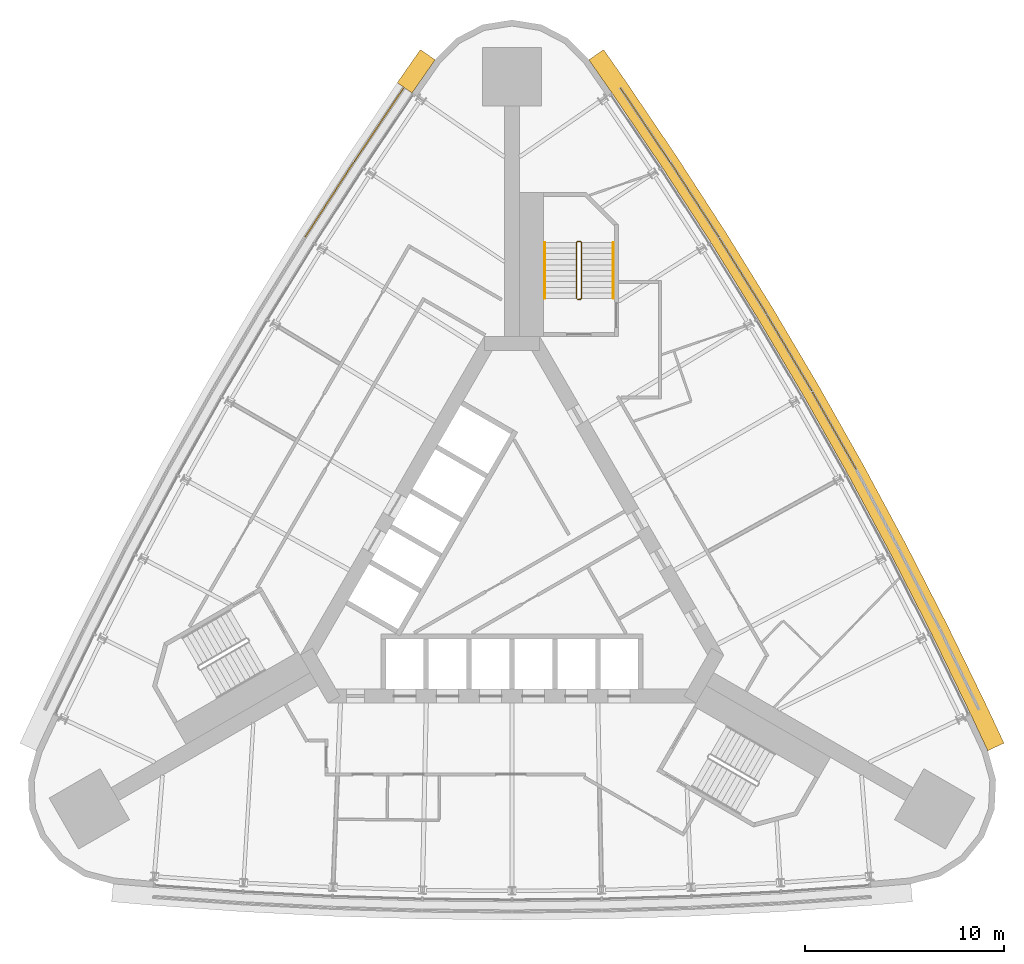
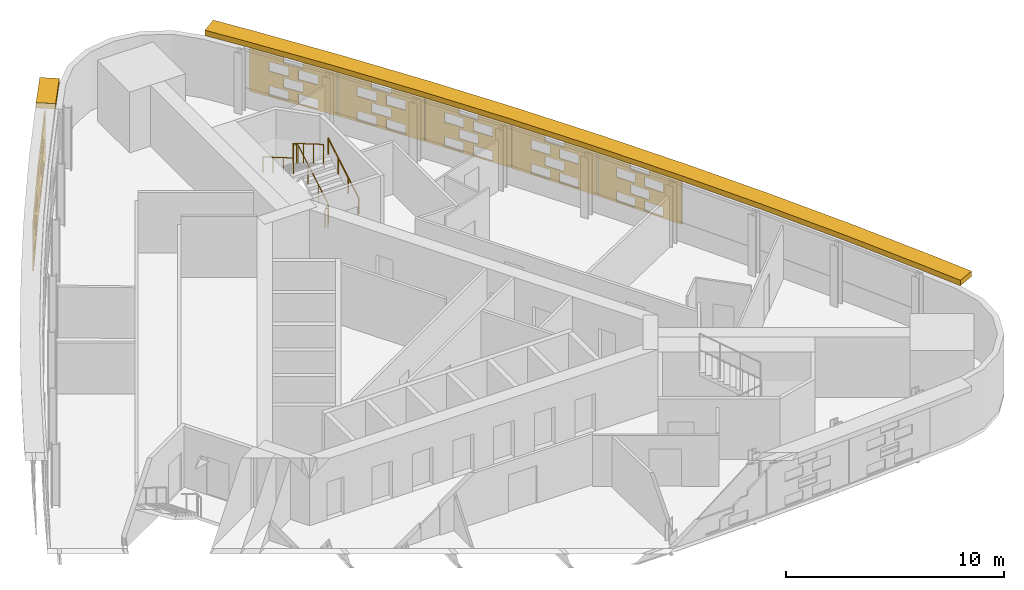
# One storey, part 11 of 11: 9 shading devices, 3 railings.
"""IFC4 building model written with IfcOpenShell, lengths in metres."""

from ifc_helpers import new_model, si_unit, direction, frame, origin, origin_2d, place, context, subcontext, project, spatial, polyline, circle, outline, extrude, material, material_profile, profile_set, type_object, element, save


model = new_model("IFC4")

# Units and contexts
model_context = context("Model", 3, precision=1e-05, world=origin(), true_north=direction((0.0, 1.0)))
body_context = subcontext(model_context, "Body", "Model", "MODEL_VIEW")
ifc_project = project(units=[si_unit("LENGTHUNIT", "METRE"), si_unit("AREAUNIT", "SQUARE_METRE"), si_unit("VOLUMEUNIT", "CUBIC_METRE"), si_unit("PLANEANGLEUNIT", "RADIAN"), si_unit("MASSUNIT", "GRAM", prefix="KILO")], contexts=[model_context])

# Site, building, storey
site_placement = place(None, origin())
site = spatial("IfcSite", under=ifc_project, at=site_placement, CompositionType="ELEMENT")
building_placement = place(site_placement, origin())
building = spatial("IfcBuilding", under=site, at=building_placement, Name="Noor Cloister Tower", CompositionType="ELEMENT")
storey_placement = place(building_placement, frame((0.0, 0.0, 120.300048828125)))
storey = spatial("IfcBuildingStorey", under=building, at=storey_placement, Name="L31", CompositionType="ELEMENT", Elevation=120.300048828125)

# Shading devices
ifc_material_1 = material(Name="Limestone", Category="masonry")
ifc_material_profile = material_profile(ifc_material_1, outline(polyline([(-2.22998046875, -1.35009765625), (2.22998046875, -1.35009765625), (2.22998046875, 1.35009765625), (-2.22998046875, 1.35009765625), (-2.22998046875, -1.35009765625)]), holes=[polyline([(-1.25, -1.282470703125), (-0.25, -1.282470703125), (-0.25, -0.742431640625), (-1.25, -0.742431640625), (-1.25, -1.282470703125)]), polyline([(0.25, -1.282470703125), (1.25, -1.282470703125), (1.25, -0.742431640625), (0.25, -0.742431640625), (0.25, -1.282470703125)]), polyline([(-0.5, -0.607421875), (0.5, -0.607421875), (0.5, -0.0673828125), (-0.5, -0.0673828125), (-0.5, -0.607421875)]), polyline([(-1.25, 0.0673828125), (-0.25, 0.0673828125), (-0.25, 0.607421875), (-1.25, 0.607421875), (-1.25, 0.0673828125)]), polyline([(0.25, 0.0673828125), (1.25, 0.0673828125), (1.25, 0.607421875), (0.25, 0.607421875), (0.25, 0.0673828125)]), polyline([(-0.5, 0.742431640625), (0.5, 0.742431640625), (0.5, 1.282470703125), (-0.5, 1.282470703125), (-0.5, 0.742431640625)])]), Name="Woven screen 30 percent open")
ifc_profile_set = profile_set([ifc_material_profile], Name="Limestone")
shading_device_type_1 = type_object("IfcShadingDeviceType", Name="SCREEN woven limestone 30 percent open", PredefinedType="USERDEFINED", material=ifc_profile_set)
shading_device_1_placement = place(storey_placement, frame((-6.645751953125, 22.044189453125, 1.849853515625), z_axis=(-0.830167318038, 0.557514326329, 0.0), x_axis=(-0.557514326329, -0.830167318038, 0.0)))
element("IfcShadingDevice", 1, at=shading_device_1_placement, inside=storey, type_object=shading_device_type_1, Name="SCREEN L31 1", ObjectType="SCREEN", PredefinedType="USERDEFINED", context=body_context, shape_type="SweptSolid", body=[
    extrude(outline(polyline([(-2.22998046875, -1.35009765625), (2.22998046875, -1.35009765625), (2.22998046875, 1.35009765625), (-2.22998046875, 1.35009765625), (-2.22998046875, -1.35009765625)]), holes=[polyline([(-1.25, -1.282470703125), (-0.25, -1.282470703125), (-0.25, -0.742431640625), (-1.25, -0.742431640625), (-1.25, -1.282470703125)]), polyline([(0.25, -1.282470703125), (1.25, -1.282470703125), (1.25, -0.742431640625), (0.25, -0.742431640625), (0.25, -1.282470703125)]), polyline([(-0.5, -0.607421875), (0.5, -0.607421875), (0.5, -0.0673828125), (-0.5, -0.0673828125), (-0.5, -0.607421875)]), polyline([(-1.25, 0.0673828125), (-0.25, 0.0673828125), (-0.25, 0.607421875), (-1.25, 0.607421875), (-1.25, 0.0673828125)]), polyline([(0.25, 0.0673828125), (1.25, 0.0673828125), (1.25, 0.607421875), (0.25, 0.607421875), (0.25, 0.0673828125)]), polyline([(-0.5, 0.742431640625), (0.5, 0.742431640625), (0.5, 1.282470703125), (-0.5, 1.282470703125), (-0.5, 0.742431640625)])]), origin(), (0.0, 0.0, 1.0), 0.06005859375),
])
shading_device_2_placement = place(storey_placement, frame((-9.133544921875, 18.28369140625, 1.849853515625), z_axis=(-0.839461337737, 0.543419416699, 0.0), x_axis=(-0.543419416699, -0.839461337737, 0.0)))
element("IfcShadingDevice", 2, at=shading_device_2_placement, inside=storey, type_object=shading_device_type_1, Name="SCREEN L31 2", ObjectType="SCREEN", PredefinedType="USERDEFINED", context=body_context, shape_type="SweptSolid", body=[
    extrude(outline(polyline([(-2.22998046875, -1.35009765625), (2.22998046875, -1.35009765625), (2.22998046875, 1.35009765625), (-2.22998046875, 1.35009765625), (-2.22998046875, -1.35009765625)]), holes=[polyline([(-1.25, -1.282470703125), (-0.25, -1.282470703125), (-0.25, -0.742431640625), (-1.25, -0.742431640625), (-1.25, -1.282470703125)]), polyline([(0.25, -1.282470703125), (1.25, -1.282470703125), (1.25, -0.742431640625), (0.25, -0.742431640625), (0.25, -1.282470703125)]), polyline([(-0.5, -0.607421875), (0.5, -0.607421875), (0.5, -0.0673828125), (-0.5, -0.0673828125), (-0.5, -0.607421875)]), polyline([(-1.25, 0.0673828125), (-0.25, 0.0673828125), (-0.25, 0.607421875), (-1.25, 0.607421875), (-1.25, 0.0673828125)]), polyline([(0.25, 0.0673828125), (1.25, 0.0673828125), (1.25, 0.607421875), (0.25, 0.607421875), (0.25, 0.0673828125)]), polyline([(-0.5, 0.742431640625), (0.5, 0.742431640625), (0.5, 1.282470703125), (-0.5, 1.282470703125), (-0.5, 0.742431640625)])]), origin(), (0.0, 0.0, 1.0), 0.060302734375),
])
shading_device_3_placement = place(storey_placement, frame((16.13232421875, 6.710693359375, 1.849853515625), z_axis=(0.87048706901, 0.492191286683, 0.0), x_axis=(-0.492191286683, 0.87048706901, 0.0)))
element("IfcShadingDevice", 3, at=shading_device_3_placement, inside=storey, type_object=shading_device_type_1, Name="SCREEN L31 4", ObjectType="SCREEN", PredefinedType="USERDEFINED", context=body_context, shape_type="SweptSolid", body=[
    extrude(outline(polyline([(-2.22998046875, -1.35009765625), (2.22998046875, -1.35009765625), (2.22998046875, 1.35009765625), (-2.22998046875, 1.35009765625), (-2.22998046875, -1.35009765625)]), holes=[polyline([(-1.25, -1.282470703125), (-0.25, -1.282470703125), (-0.25, -0.742431640625), (-1.25, -0.742431640625), (-1.25, -1.282470703125)]), polyline([(0.25, -1.282470703125), (1.25, -1.282470703125), (1.25, -0.742431640625), (0.25, -0.742431640625), (0.25, -1.282470703125)]), polyline([(-0.5, -0.607421875), (0.5, -0.607421875), (0.5, -0.0673828125), (-0.5, -0.0673828125), (-0.5, -0.607421875)]), polyline([(-1.25, 0.0673828125), (-0.25, 0.0673828125), (-0.25, 0.607421875), (-1.25, 0.607421875), (-1.25, 0.0673828125)]), polyline([(0.25, 0.0673828125), (1.25, 0.0673828125), (1.25, 0.607421875), (0.25, 0.607421875), (0.25, 0.0673828125)]), polyline([(-0.5, 0.742431640625), (0.5, 0.742431640625), (0.5, 1.282470703125), (-0.5, 1.282470703125), (-0.5, 0.742431640625)])]), origin(), (0.0, 0.0, 1.0), 0.06005859375),
])
shading_device_4_placement = place(storey_placement, frame((13.8779296875, 10.615478515625, 1.849853515625), z_axis=(0.860357760281, 0.50969061628, 0.0), x_axis=(-0.50969061628, 0.860357760281, 0.0)))
element("IfcShadingDevice", 4, at=shading_device_4_placement, inside=storey, type_object=shading_device_type_1, Name="SCREEN L31 5", ObjectType="SCREEN", PredefinedType="USERDEFINED", context=body_context, shape_type="SweptSolid", body=[
    extrude(outline(polyline([(-2.22998046875, -1.35009765625), (2.22998046875, -1.35009765625), (2.22998046875, 1.35009765625), (-2.22998046875, 1.35009765625), (-2.22998046875, -1.35009765625)]), holes=[polyline([(-1.25, -1.282470703125), (-0.25, -1.282470703125), (-0.25, -0.742431640625), (-1.25, -0.742431640625), (-1.25, -1.282470703125)]), polyline([(0.25, -1.282470703125), (1.25, -1.282470703125), (1.25, -0.742431640625), (0.25, -0.742431640625), (0.25, -1.282470703125)]), polyline([(-0.5, -0.607421875), (0.5, -0.607421875), (0.5, -0.0673828125), (-0.5, -0.0673828125), (-0.5, -0.607421875)]), polyline([(-1.25, 0.0673828125), (-0.25, 0.0673828125), (-0.25, 0.607421875), (-1.25, 0.607421875), (-1.25, 0.0673828125)]), polyline([(0.25, 0.0673828125), (1.25, 0.0673828125), (1.25, 0.607421875), (0.25, 0.607421875), (0.25, 0.0673828125)]), polyline([(-0.5, 0.742431640625), (0.5, 0.742431640625), (0.5, 1.282470703125), (-0.5, 1.282470703125), (-0.5, 0.742431640625)])]), origin(), (0.0, 0.0, 1.0), 0.059814453125),
])
shading_device_5_placement = place(storey_placement, frame((11.544677734375, 14.4736328125, 1.849853515625), z_axis=(0.849137590634, 0.528171707093, 0.0), x_axis=(-0.528171707093, 0.849137590634, 0.0)))
element("IfcShadingDevice", 5, at=shading_device_5_placement, inside=storey, type_object=shading_device_type_1, Name="SCREEN L31 6", ObjectType="SCREEN", PredefinedType="USERDEFINED", context=body_context, shape_type="SweptSolid", body=[
    extrude(outline(polyline([(-2.22998046875, -1.35009765625), (2.22998046875, -1.35009765625), (2.22998046875, 1.35009765625), (-2.22998046875, 1.35009765625), (-2.22998046875, -1.35009765625)]), holes=[polyline([(-1.25, -1.282470703125), (-0.25, -1.282470703125), (-0.25, -0.742431640625), (-1.25, -0.742431640625), (-1.25, -1.282470703125)]), polyline([(0.25, -1.282470703125), (1.25, -1.282470703125), (1.25, -0.742431640625), (0.25, -0.742431640625), (0.25, -1.282470703125)]), polyline([(-0.5, -0.607421875), (0.5, -0.607421875), (0.5, -0.0673828125), (-0.5, -0.0673828125), (-0.5, -0.607421875)]), polyline([(-1.25, 0.0673828125), (-0.25, 0.0673828125), (-0.25, 0.607421875), (-1.25, 0.607421875), (-1.25, 0.0673828125)]), polyline([(0.25, 0.0673828125), (1.25, 0.0673828125), (1.25, 0.607421875), (0.25, 0.607421875), (0.25, 0.0673828125)]), polyline([(-0.5, 0.742431640625), (0.5, 0.742431640625), (0.5, 1.282470703125), (-0.5, 1.282470703125), (-0.5, 0.742431640625)])]), origin(), (0.0, 0.0, 1.0), 0.06005859375),
])
shading_device_6_placement = place(storey_placement, frame((9.133544921875, 18.28369140625, 1.849853515625), z_axis=(0.839461337737, 0.543419416699, 0.0), x_axis=(-0.543419416699, 0.839461337737, 0.0)))
element("IfcShadingDevice", 6, at=shading_device_6_placement, inside=storey, type_object=shading_device_type_1, Name="SCREEN L31 7", ObjectType="SCREEN", PredefinedType="USERDEFINED", context=body_context, shape_type="SweptSolid", body=[
    extrude(outline(polyline([(-2.22998046875, -1.35009765625), (2.22998046875, -1.35009765625), (2.22998046875, 1.35009765625), (-2.22998046875, 1.35009765625), (-2.22998046875, -1.35009765625)]), holes=[polyline([(-1.25, -1.282470703125), (-0.25, -1.282470703125), (-0.25, -0.742431640625), (-1.25, -0.742431640625), (-1.25, -1.282470703125)]), polyline([(0.25, -1.282470703125), (1.25, -1.282470703125), (1.25, -0.742431640625), (0.25, -0.742431640625), (0.25, -1.282470703125)]), polyline([(-0.5, -0.607421875), (0.5, -0.607421875), (0.5, -0.0673828125), (-0.5, -0.0673828125), (-0.5, -0.607421875)]), polyline([(-1.25, 0.0673828125), (-0.25, 0.0673828125), (-0.25, 0.607421875), (-1.25, 0.607421875), (-1.25, 0.0673828125)]), polyline([(0.25, 0.0673828125), (1.25, 0.0673828125), (1.25, 0.607421875), (0.25, 0.607421875), (0.25, 0.0673828125)]), polyline([(-0.5, 0.742431640625), (0.5, 0.742431640625), (0.5, 1.282470703125), (-0.5, 1.282470703125), (-0.5, 0.742431640625)])]), origin(), (0.0, 0.0, 1.0), 0.060302734375),
])
shading_device_7_placement = place(storey_placement, frame((6.645751953125, 22.044189453125, 1.849853515625), z_axis=(0.830167318038, 0.557514326329, 0.0), x_axis=(-0.557514326329, 0.830167318038, 0.0)))
element("IfcShadingDevice", 7, at=shading_device_7_placement, inside=storey, type_object=shading_device_type_1, Name="SCREEN L31 8", ObjectType="SCREEN", PredefinedType="USERDEFINED", context=body_context, shape_type="SweptSolid", body=[
    extrude(outline(polyline([(-2.22998046875, -1.35009765625), (2.22998046875, -1.35009765625), (2.22998046875, 1.35009765625), (-2.22998046875, 1.35009765625), (-2.22998046875, -1.35009765625)]), holes=[polyline([(-1.25, -1.282470703125), (-0.25, -1.282470703125), (-0.25, -0.742431640625), (-1.25, -0.742431640625), (-1.25, -1.282470703125)]), polyline([(0.25, -1.282470703125), (1.25, -1.282470703125), (1.25, -0.742431640625), (0.25, -0.742431640625), (0.25, -1.282470703125)]), polyline([(-0.5, -0.607421875), (0.5, -0.607421875), (0.5, -0.0673828125), (-0.5, -0.0673828125), (-0.5, -0.607421875)]), polyline([(-1.25, 0.0673828125), (-0.25, 0.0673828125), (-0.25, 0.607421875), (-1.25, 0.607421875), (-1.25, 0.0673828125)]), polyline([(0.25, 0.0673828125), (1.25, 0.0673828125), (1.25, 0.607421875), (0.25, 0.607421875), (0.25, 0.0673828125)]), polyline([(-0.5, 0.742431640625), (0.5, 0.742431640625), (0.5, 1.282470703125), (-0.5, 1.282470703125), (-0.5, 0.742431640625)])]), origin(), (0.0, 0.0, 1.0), 0.06005859375),
])
ifc_material_2 = material(Name="Limestone", Category="masonry")
shading_device_type_2 = type_object("IfcShadingDeviceType", Name="SUNSHADE limestone band 900", PredefinedType="USERDEFINED", material=ifc_material_2)
shading_device_8_placement = place(storey_placement, frame((0.0, 0.0, 3.300048828125)))
element("IfcShadingDevice", 8, at=shading_device_8_placement, inside=storey, type_object=shading_device_type_2, Name="SUNSHADE L31 3", ObjectType="SUNSHADE", PredefinedType="USERDEFINED", context=body_context, shape_type="SweptSolid", body=[
    extrude(outline(polyline([(24.666748046875, -8.93994140625), (23.80517578125, -7.099365234375), (21.83056640625, -3.0380859375), (19.772705078125, 0.984130859375), (17.6337890625, 4.964111328125), (15.41455078125, 8.899658203125), (13.115966796875, 12.789306640625), (10.73876953125, 16.631591796875), (8.2841796875, 20.4248046875), (5.75439453125, 24.16552734375), (4.59130859375, 25.83203125), (3.853271484375, 25.31689453125), (5.0126953125, 23.65576171875), (7.533447265625, 19.92822265625), (9.978271484375, 16.150390625), (12.345703125, 12.323486328125), (14.635009765625, 8.449462890625), (16.845458984375, 4.52978515625), (18.9755859375, 0.566162109375), (21.025146484375, -3.43994140625), (22.992919921875, -7.48681640625), (23.851806640625, -9.321533203125), (24.666748046875, -8.93994140625)])), origin(), (0.0, 0.0, 1.0), 0.2998046875),
])
shading_device_9_placement = place(storey_placement, frame((0.0, 0.0, 3.300048828125)))
element("IfcShadingDevice", 9, at=shading_device_9_placement, inside=storey, type_object=shading_device_type_2, Name="SUNSHADE L31 4", ObjectType="SUNSHADE", PredefinedType="USERDEFINED", context=body_context, shape_type="SweptSolid", body=[
    extrude(outline(polyline([(-4.59130859375, 25.83203125), (-5.750732421875, 24.1708984375), (-5.0126953125, 23.65576171875), (-3.853271484375, 25.31689453125), (-4.59130859375, 25.83203125)])), origin(), (0.0, 0.0, 1.0), 0.2998046875),
])

# Railings
ifc_material_3 = material(Name="Stainless steel", Category="steel")
railing_type_1 = type_object("IfcRailingType", Name="Stair guard 1100", PredefinedType="GUARDRAIL", material=ifc_material_3)
railing_1_placement = place(storey_placement, frame((3.435546875, 13.306396484375, 0.0)))
element("IfcRailing", 10, at=railing_1_placement, inside=storey, type_object=railing_type_1, Name="Stair guard ST1 L31", PredefinedType="GUARDRAIL", context=body_context, shape_type="SweptSolid", body=[
    extrude(circle(Radius=0.02392578125, at=origin_2d()), frame((0.0, 0.0, 1.076171875), z_axis=(-1.0, 0.0, 0.0), x_axis=(0.0, -1.0, 0.0)), (0.0, 0.0, 1.0), 0.14990234375),
    extrude(circle(Radius=0.02392578125, at=origin_2d()), frame((-0.14990234375, 0.0, 1.076171875), z_axis=(0.759870394187, 0.190199549216, 0.621627795), x_axis=(-0.242814311512, 0.970072785993, 0.0)), (0.0, 0.0, 1.0), 0.26318359375),
    extrude(circle(Radius=0.02392578125, at=origin_2d()), frame((0.050048828125, 0.050048828125, 1.23974609375), z_axis=(0.0, 0.863360870873, 0.504586966384), x_axis=(-1.0, 0.0, 0.0)), (0.0, 0.0, 1.0), 3.2431640625),
    extrude(circle(Radius=0.02392578125, at=origin_2d()), frame((0.050048828125, 2.85009765625, 2.8759765625), z_axis=(-0.708833529934, 0.705375805398, 0.0), x_axis=(-0.705375805398, -0.708833529934, 0.0)), (0.0, 0.0, 1.0), 0.070556640625),
    extrude(circle(Radius=0.02392578125, at=origin_2d()), frame((0.0, 2.89990234375, 2.8759765625), z_axis=(-1.0, 0.0, 0.0), x_axis=(0.0, -1.0, 0.0)), (0.0, 0.0, 1.0), 0.14990234375),
    extrude(circle(Radius=0.02392578125, at=origin_2d()), frame((-0.14990234375, 2.89990234375, 2.8759765625), z_axis=(-0.280916556609, -0.279546231943, 0.91811752648), x_axis=(0.705375805398, -0.708833529934, 0.0)), (0.0, 0.0, 1.0), 0.17822265625),
    extrude(circle(Radius=0.02392578125, at=origin_2d()), frame((-0.199951171875, 2.85009765625, 3.03955078125), z_axis=(0.0, -0.863393664356, 0.504530851732), x_axis=(1.0, 0.0, 0.0)), (0.0, 0.0, 1.0), 3.2431640625),
    extrude(circle(Radius=0.02099609375, at=origin_2d()), origin(), (0.0, 0.0, 1.0), 1.052001953125),
    extrude(circle(Radius=0.02099609375, at=origin_2d()), frame((-0.14990234375, 0.0, 0.0)), (0.0, 0.0, 1.0), 1.052001953125),
    extrude(circle(Radius=0.02099609375, at=origin_2d()), frame((0.050048828125, 0.050048828125, 0.16357421875)), (0.0, 0.0, 1.0), 1.052001953125),
    extrude(circle(Radius=0.02099609375, at=origin_2d()), frame((0.050048828125, 0.9833984375, 0.708984375)), (0.0, 0.0, 1.0), 1.052001953125),
    extrude(circle(Radius=0.02099609375, at=origin_2d()), frame((0.050048828125, 1.916748046875, 1.254638671875)), (0.0, 0.0, 1.0), 1.052001953125),
    extrude(circle(Radius=0.02099609375, at=origin_2d()), frame((0.050048828125, 2.85009765625, 1.800048828125)), (0.0, 0.0, 1.0), 1.052001953125),
    extrude(circle(Radius=0.02099609375, at=origin_2d()), frame((0.0, 2.89990234375, 1.800048828125)), (0.0, 0.0, 1.0), 1.052001953125),
    extrude(circle(Radius=0.02099609375, at=origin_2d()), frame((-0.14990234375, 2.89990234375, 1.800048828125)), (0.0, 0.0, 1.0), 1.052001953125),
    extrude(circle(Radius=0.02099609375, at=origin_2d()), frame((-0.199951171875, 2.85009765625, 1.963623046875)), (0.0, 0.0, 1.0), 1.052001953125),
    extrude(circle(Radius=0.02099609375, at=origin_2d()), frame((-0.199951171875, 1.916748046875, 2.509033203125)), (0.0, 0.0, 1.0), 1.052001953125),
    extrude(circle(Radius=0.02099609375, at=origin_2d()), frame((-0.199951171875, 0.9833984375, 3.054443359375)), (0.0, 0.0, 1.0), 1.052001953125),
    extrude(circle(Radius=0.02099609375, at=origin_2d()), frame((-0.199951171875, 0.050048828125, 3.599853515625)), (0.0, 0.0, 1.0), 1.052001953125),
])
ifc_material_4 = material(Name="Stainless steel", Category="steel")
railing_type_2 = type_object("IfcRailingType", Name="Stair handrail 900", PredefinedType="HANDRAIL", material=ifc_material_4)
railing_2_placement = place(storey_placement, frame((5.085693359375, 13.3564453125, 0.16357421875)))
element("IfcRailing", 11, at=railing_2_placement, inside=storey, type_object=railing_type_2, Name="Stair handrail ST1 L31 1", PredefinedType="HANDRAIL", context=body_context, shape_type="SweptSolid", body=[
    extrude(circle(Radius=0.02392578125, at=origin_2d()), frame((0.0, 0.0, 0.8759765625), z_axis=(0.0, 0.863360870873, 0.504586966384), x_axis=(-1.0, 0.0, 0.0)), (0.0, 0.0, 1.0), 3.2431640625),
    extrude(circle(Radius=0.02099609375, at=origin_2d()), origin(), (0.0, 0.0, 1.0), 0.851806640625),
    extrude(circle(Radius=0.02099609375, at=origin_2d()), frame((0.0, 0.933349609375, 0.54541015625)), (0.0, 0.0, 1.0), 0.851806640625),
    extrude(circle(Radius=0.02099609375, at=origin_2d()), frame((0.0, 1.86669921875, 1.091064453125)), (0.0, 0.0, 1.0), 0.851806640625),
    extrude(circle(Radius=0.02099609375, at=origin_2d()), frame((0.0, 2.800048828125, 1.636474609375)), (0.0, 0.0, 1.0), 0.851806640625),
])
railing_3_placement = place(storey_placement, frame((1.6357421875, 16.156494140625, 1.963623046875)))
element("IfcRailing", 12, at=railing_3_placement, inside=storey, type_object=railing_type_2, Name="Stair handrail ST1 L31 2", PredefinedType="HANDRAIL", context=body_context, shape_type="SweptSolid", body=[
    extrude(circle(Radius=0.02392578125, at=origin_2d()), frame((0.0, 0.0, 0.8759765625), z_axis=(0.0, -0.863393664356, 0.504530851732), x_axis=(1.0, 0.0, 0.0)), (0.0, 0.0, 1.0), 3.2431640625),
    extrude(circle(Radius=0.02099609375, at=origin_2d()), origin(), (0.0, 0.0, 1.0), 0.851806640625),
    extrude(circle(Radius=0.02099609375, at=origin_2d()), frame((0.0, -0.933349609375, 0.54541015625)), (0.0, 0.0, 1.0), 0.851806640625),
    extrude(circle(Radius=0.02099609375, at=origin_2d()), frame((0.0, -1.86669921875, 1.0908203125)), (0.0, 0.0, 1.0), 0.851806640625),
    extrude(circle(Radius=0.02099609375, at=origin_2d()), frame((0.0, -2.800048828125, 1.63623046875)), (0.0, 0.0, 1.0), 0.851806640625),
])

save(model, "model.ifc")
